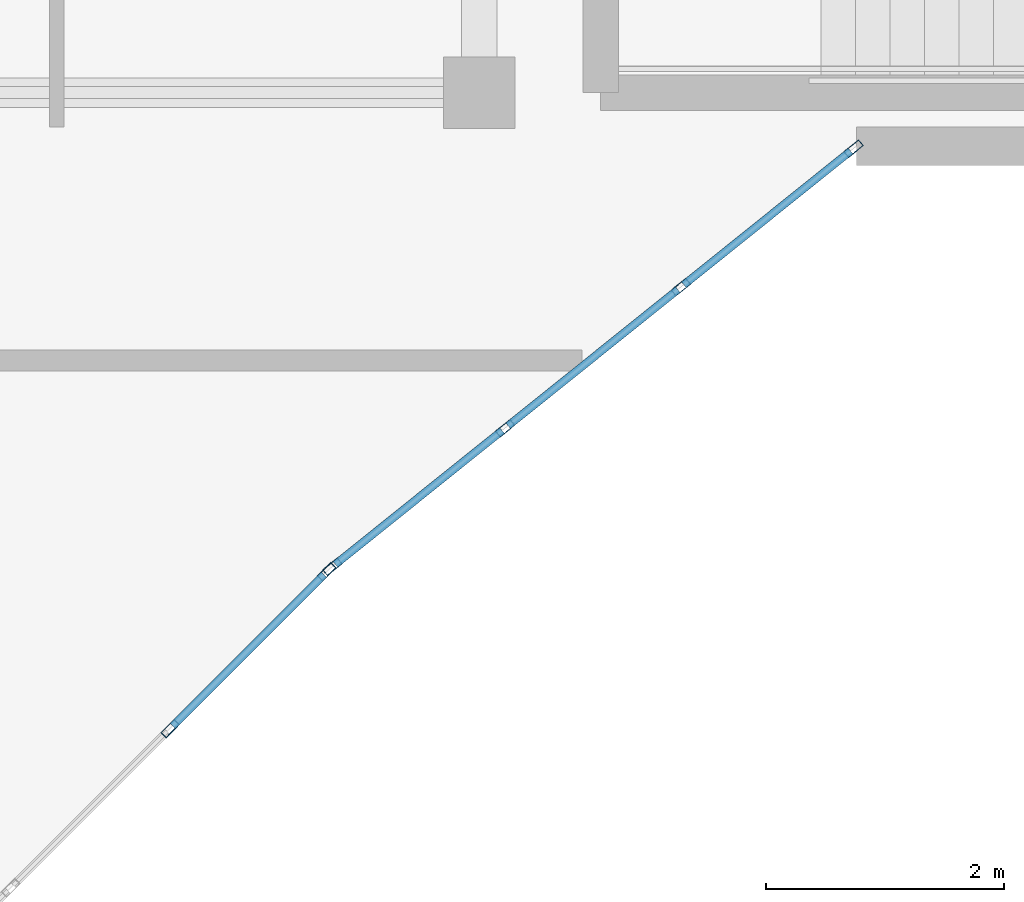
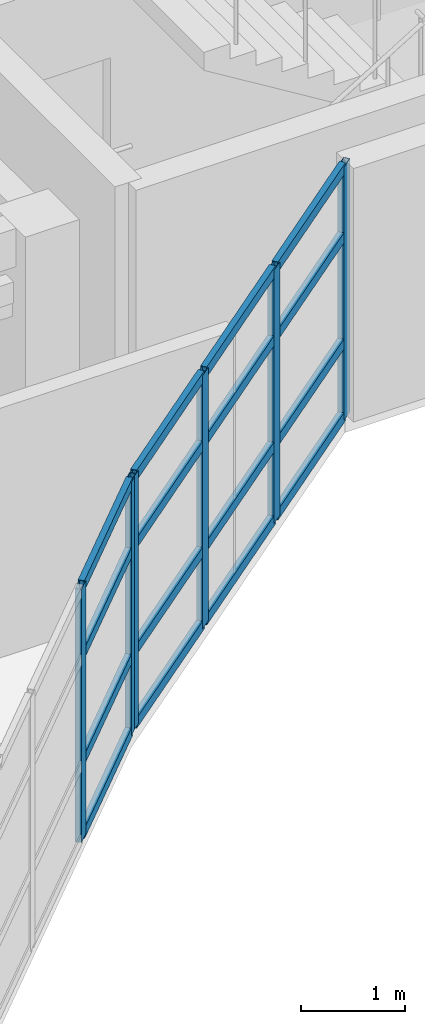
# One storey, part 8 of 71: 22 members, 2 elements without a shape of their own.
"""IFC4 building model written with IfcOpenShell, lengths in metres."""

from ifc_helpers import new_model, si_unit, direction, frame, origin, origin_2d, place, context, subcontext, project, spatial, hollow_rectangle, extrude, material, layer, layer_set, material_profile, profile_set, type_object, element, aggregate, save


model = new_model("IFC4")

# Units and contexts
model_context = context("Model", 3, precision=1e-05, world=origin(), true_north=direction((0.0, 1.0)))
body_context = subcontext(model_context, "Body", "Model", "MODEL_VIEW")
ifc_project = project(units=[si_unit("LENGTHUNIT", "METRE"), si_unit("AREAUNIT", "SQUARE_METRE"), si_unit("VOLUMEUNIT", "CUBIC_METRE"), si_unit("PLANEANGLEUNIT", "RADIAN"), si_unit("MASSUNIT", "GRAM", prefix="KILO")], contexts=[model_context])

# Site, building, storey
site_placement = place(None, origin())
site = spatial("IfcSite", under=ifc_project, at=site_placement, CompositionType="ELEMENT")
building_placement = place(site_placement, origin())
building = spatial("IfcBuilding", under=site, at=building_placement, Name="Keldmere Railside Commons", CompositionType="ELEMENT")
storey_placement = place(building_placement, frame((0.0, 0.0, 20.159912109375)))
storey = spatial("IfcBuildingStorey", under=building, at=storey_placement, Name="L06", CompositionType="ELEMENT", Elevation=20.159912109375)

# Curtain wall, members
ifc_material = material(Name="Thermally Broken Aluminium", Category="aluminium")
ifc_layer_1 = layer(ifc_material, 0.159912109375, Name="Court Chord Wintergarden CW 5400x2850")
ifc_layer_set_1 = layer_set([ifc_layer_1], Name="Thermally Broken Aluminium")
curtain_wall_type_1 = type_object("IfcCurtainWallType", Name="Court Chord Wintergarden CW 5400x2850", PredefinedType="NOTDEFINED", material=ifc_layer_set_1)
curtain_wall_1_placement = place(storey_placement, origin())
curtain_wall_1 = element("IfcCurtainWall", 1, at=curtain_wall_1_placement, inside=storey, type_object=curtain_wall_type_1, Name="CW-13 CW-L06-062", PredefinedType="NOTDEFINED")
ifc_material_profile_1 = material_profile(ifc_material, hollow_rectangle(XDim=0.06494140625, YDim=0.159912109375, WallThickness=0.00390625, at=origin_2d()), Name="ALU-MULL-65x160")
ifc_profile_set_1 = profile_set([ifc_material_profile_1], Name="Thermally Broken Aluminium")
member_type_1 = type_object("IfcMemberType", Name="Unitised Curtain Wall Mullion 65x160", PredefinedType="MULLION", material=ifc_profile_set_1)
member_1_placement = place(storey_placement, frame((71.547119140625, 96.423095703125, 0.0), z_axis=(0.0, 0.0, 1.0), x_axis=(0.707106781187, -0.707106781187, 0.0)))
member_1 = element("IfcMember", 2, at=member_1_placement, type_object=member_type_1, Name="CW-13 mullion 1", PredefinedType="MULLION", context=body_context, shape_type="SweptSolid", body=[
    extrude(hollow_rectangle(XDim=0.06494140625, YDim=0.159912109375, WallThickness=0.00390625, at=origin_2d()), origin(), (0.0, 0.0, 1.0), 2.97998046875),
])
member_2_placement = place(storey_placement, frame((70.2314453125, 95.107421875, 0.0), z_axis=(0.0, 0.0, 1.0), x_axis=(0.707106781187, -0.707106781187, 0.0)))
member_2 = element("IfcMember", 3, at=member_2_placement, type_object=member_type_1, Name="CW-13 mullion 2", PredefinedType="MULLION", context=body_context, shape_type="SweptSolid", body=[
    extrude(hollow_rectangle(XDim=0.06494140625, YDim=0.159912109375, WallThickness=0.00390625, at=origin_2d()), origin(), (0.0, 0.0, 1.0), 2.97998046875),
])

ifc_layer_2 = layer(ifc_material, 0.159912109375, Name="Court Chord Wintergarden CW 4800x2850")
ifc_layer_set_2 = layer_set([ifc_layer_2], Name="Thermally Broken Aluminium")
curtain_wall_type_2 = type_object("IfcCurtainWallType", Name="Court Chord Wintergarden CW 4800x2850", PredefinedType="NOTDEFINED", material=ifc_layer_set_2)
curtain_wall_2_placement = place(storey_placement, origin())
curtain_wall_2 = element("IfcCurtainWall", 4, at=curtain_wall_2_placement, inside=storey, type_object=curtain_wall_type_2, Name="CW-12 CW-L06-063", PredefinedType="NOTDEFINED")
member_3_placement = place(storey_placement, frame((75.974609375, 99.979736328125, 0.0), z_axis=(0.0, 0.0, 1.0), x_axis=(0.625768080915, -0.780009172323, 0.0)))
member_3 = element("IfcMember", 5, at=member_3_placement, type_object=member_type_1, Name="CW-12 mullion 1", PredefinedType="MULLION", context=body_context, shape_type="SweptSolid", body=[
    extrude(hollow_rectangle(XDim=0.06494140625, YDim=0.159912109375, WallThickness=0.00390625, at=origin_2d()), origin(), (0.0, 0.0, 1.0), 2.97998046875),
])
member_4_placement = place(storey_placement, frame((74.5234375, 98.8154296875, 0.0), z_axis=(0.0, 0.0, 1.0), x_axis=(0.625768080915, -0.780009172323, 0.0)))
member_4 = element("IfcMember", 6, at=member_4_placement, type_object=member_type_1, Name="CW-12 mullion 2", PredefinedType="MULLION", context=body_context, shape_type="SweptSolid", body=[
    extrude(hollow_rectangle(XDim=0.06494140625, YDim=0.159912109375, WallThickness=0.00390625, at=origin_2d()), origin(), (0.0, 0.0, 1.0), 2.97998046875),
])
member_5_placement = place(storey_placement, frame((73.046630859375, 97.630615234375, 0.0), z_axis=(0.0, 0.0, 1.0), x_axis=(0.625768080915, -0.780009172323, 0.0)))
member_5 = element("IfcMember", 7, at=member_5_placement, type_object=member_type_1, Name="CW-12 mullion 3", PredefinedType="MULLION", context=body_context, shape_type="SweptSolid", body=[
    extrude(hollow_rectangle(XDim=0.06494140625, YDim=0.159912109375, WallThickness=0.00390625, at=origin_2d()), origin(), (0.0, 0.0, 1.0), 2.97998046875),
])
member_6_placement = place(storey_placement, frame((71.595458984375, 96.46630859375, 0.0), z_axis=(0.0, 0.0, 1.0), x_axis=(0.625768080915, -0.780009172323, 0.0)))
member_6 = element("IfcMember", 8, at=member_6_placement, type_object=member_type_1, Name="CW-12 mullion 4", PredefinedType="MULLION", context=body_context, shape_type="SweptSolid", body=[
    extrude(hollow_rectangle(XDim=0.06494140625, YDim=0.159912109375, WallThickness=0.00390625, at=origin_2d()), origin(), (0.0, 0.0, 1.0), 2.97998046875),
])

# Member
ifc_material_profile_2 = material_profile(ifc_material, hollow_rectangle(XDim=0.06494140625, YDim=0.1201171875, WallThickness=0.00390625, at=origin_2d()), Name="ALU-TRAN-65x120")
ifc_profile_set_2 = profile_set([ifc_material_profile_2], Name="Thermally Broken Aluminium")
member_type_2 = type_object("IfcMemberType", Name="Unitised Curtain Wall Transom 65x120", PredefinedType="USERDEFINED", material=ifc_profile_set_2)
member_7_placement = place(storey_placement, frame((71.52392578125, 96.400146484375, 0.032470703125), z_axis=(-0.707038793419, -0.707174762418, 0.0), x_axis=(0.707174762418, -0.707038793419, 0.0)))
member_7 = element("IfcMember", 9, at=member_7_placement, type_object=member_type_2, Name="CW-13 transom 1.1", ObjectType="TRANSOM", PredefinedType="USERDEFINED", context=body_context, shape_type="SweptSolid", body=[
    extrude(hollow_rectangle(XDim=0.06494140625, YDim=0.1201171875, WallThickness=0.00390625, at=origin_2d()), origin(), (0.0, 0.0, 1.0), 1.795654296875),
])

member_8_placement = place(storey_placement, frame((71.52392578125, 96.400146484375, 0.900146484375), z_axis=(-0.707038793419, -0.707174762418, 0.0), x_axis=(0.707174762418, -0.707038793419, 0.0)))
member_8 = element("IfcMember", 10, at=member_8_placement, type_object=member_type_2, Name="CW-13 transom 1.2", ObjectType="TRANSOM", PredefinedType="USERDEFINED", context=body_context, shape_type="SweptSolid", body=[
    extrude(hollow_rectangle(XDim=0.06494140625, YDim=0.1201171875, WallThickness=0.00390625, at=origin_2d()), origin(), (0.0, 0.0, 1.0), 1.795654296875),
])

member_9_placement = place(storey_placement, frame((71.52392578125, 96.400146484375, 2.150146484375), z_axis=(-0.707038793419, -0.707174762418, 0.0), x_axis=(0.707174762418, -0.707038793419, 0.0)))
member_9 = element("IfcMember", 11, at=member_9_placement, type_object=member_type_2, Name="CW-13 transom 1.3", ObjectType="TRANSOM", PredefinedType="USERDEFINED", context=body_context, shape_type="SweptSolid", body=[
    extrude(hollow_rectangle(XDim=0.06494140625, YDim=0.1201171875, WallThickness=0.00390625, at=origin_2d()), origin(), (0.0, 0.0, 1.0), 1.795654296875),
])

member_10_placement = place(storey_placement, frame((71.52392578125, 96.400146484375, 2.947509765625), z_axis=(-0.707038793419, -0.707174762418, 0.0), x_axis=(0.707174762418, -0.707038793419, 0.0)))
member_10 = element("IfcMember", 12, at=member_10_placement, type_object=member_type_2, Name="CW-13 transom 1.4", ObjectType="TRANSOM", PredefinedType="USERDEFINED", context=body_context, shape_type="SweptSolid", body=[
    extrude(hollow_rectangle(XDim=0.06494140625, YDim=0.1201171875, WallThickness=0.00390625, at=origin_2d()), origin(), (0.0, 0.0, 1.0), 1.795654296875),
])

aggregate(curtain_wall_1, [member_1, member_2, member_7, member_8, member_9, member_10])

member_11_placement = place(storey_placement, frame((75.94921875, 99.959228515625, 0.032470703125), z_axis=(-0.780045694992, -0.625722553313, 0.0), x_axis=(0.625722553313, -0.780045694992, 0.0)))
member_11 = element("IfcMember", 13, at=member_11_placement, type_object=member_type_2, Name="CW-12 transom 1.1", ObjectType="TRANSOM", PredefinedType="USERDEFINED", context=body_context, shape_type="SweptSolid", body=[
    extrude(hollow_rectangle(XDim=0.06494140625, YDim=0.1201171875, WallThickness=0.00390625, at=origin_2d()), origin(), (0.0, 0.0, 1.0), 1.795654296875),
])

member_12_placement = place(storey_placement, frame((75.94921875, 99.959228515625, 0.900146484375), z_axis=(-0.780045694992, -0.625722553313, 0.0), x_axis=(0.625722553313, -0.780045694992, 0.0)))
member_12 = element("IfcMember", 14, at=member_12_placement, type_object=member_type_2, Name="CW-12 transom 1.2", ObjectType="TRANSOM", PredefinedType="USERDEFINED", context=body_context, shape_type="SweptSolid", body=[
    extrude(hollow_rectangle(XDim=0.06494140625, YDim=0.1201171875, WallThickness=0.00390625, at=origin_2d()), origin(), (0.0, 0.0, 1.0), 1.795654296875),
])

member_13_placement = place(storey_placement, frame((75.94921875, 99.959228515625, 2.150146484375), z_axis=(-0.780045694992, -0.625722553313, 0.0), x_axis=(0.625722553313, -0.780045694992, 0.0)))
member_13 = element("IfcMember", 15, at=member_13_placement, type_object=member_type_2, Name="CW-12 transom 1.3", ObjectType="TRANSOM", PredefinedType="USERDEFINED", context=body_context, shape_type="SweptSolid", body=[
    extrude(hollow_rectangle(XDim=0.06494140625, YDim=0.1201171875, WallThickness=0.00390625, at=origin_2d()), origin(), (0.0, 0.0, 1.0), 1.795654296875),
])

member_14_placement = place(storey_placement, frame((75.94921875, 99.959228515625, 2.947509765625), z_axis=(-0.780045694992, -0.625722553313, 0.0), x_axis=(0.625722553313, -0.780045694992, 0.0)))
member_14 = element("IfcMember", 16, at=member_14_placement, type_object=member_type_2, Name="CW-12 transom 1.4", ObjectType="TRANSOM", PredefinedType="USERDEFINED", context=body_context, shape_type="SweptSolid", body=[
    extrude(hollow_rectangle(XDim=0.06494140625, YDim=0.1201171875, WallThickness=0.00390625, at=origin_2d()), origin(), (0.0, 0.0, 1.0), 1.795654296875),
])

member_15_placement = place(storey_placement, frame((74.498046875, 98.794921875, 0.032470703125), z_axis=(-0.78007338409, -0.625688033635, 0.0), x_axis=(0.625688033635, -0.78007338409, 0.0)))
member_15 = element("IfcMember", 17, at=member_15_placement, type_object=member_type_2, Name="CW-12 transom 2.1", ObjectType="TRANSOM", PredefinedType="USERDEFINED", context=body_context, shape_type="SweptSolid", body=[
    extrude(hollow_rectangle(XDim=0.06494140625, YDim=0.1201171875, WallThickness=0.00390625, at=origin_2d()), origin(), (0.0, 0.0, 1.0), 1.828125),
])

member_16_placement = place(storey_placement, frame((74.498046875, 98.794921875, 0.900146484375), z_axis=(-0.78007338409, -0.625688033635, 0.0), x_axis=(0.625688033635, -0.78007338409, 0.0)))
member_16 = element("IfcMember", 18, at=member_16_placement, type_object=member_type_2, Name="CW-12 transom 2.2", ObjectType="TRANSOM", PredefinedType="USERDEFINED", context=body_context, shape_type="SweptSolid", body=[
    extrude(hollow_rectangle(XDim=0.06494140625, YDim=0.1201171875, WallThickness=0.00390625, at=origin_2d()), origin(), (0.0, 0.0, 1.0), 1.828125),
])

member_17_placement = place(storey_placement, frame((74.498046875, 98.794921875, 2.150146484375), z_axis=(-0.78007338409, -0.625688033635, 0.0), x_axis=(0.625688033635, -0.78007338409, 0.0)))
member_17 = element("IfcMember", 19, at=member_17_placement, type_object=member_type_2, Name="CW-12 transom 2.3", ObjectType="TRANSOM", PredefinedType="USERDEFINED", context=body_context, shape_type="SweptSolid", body=[
    extrude(hollow_rectangle(XDim=0.06494140625, YDim=0.1201171875, WallThickness=0.00390625, at=origin_2d()), origin(), (0.0, 0.0, 1.0), 1.828125),
])

member_18_placement = place(storey_placement, frame((74.498046875, 98.794921875, 2.947509765625), z_axis=(-0.78007338409, -0.625688033635, 0.0), x_axis=(0.625688033635, -0.78007338409, 0.0)))
member_18 = element("IfcMember", 20, at=member_18_placement, type_object=member_type_2, Name="CW-12 transom 2.4", ObjectType="TRANSOM", PredefinedType="USERDEFINED", context=body_context, shape_type="SweptSolid", body=[
    extrude(hollow_rectangle(XDim=0.06494140625, YDim=0.1201171875, WallThickness=0.00390625, at=origin_2d()), origin(), (0.0, 0.0, 1.0), 1.828125),
])

member_19_placement = place(storey_placement, frame((73.021240234375, 97.6103515625, 0.032470703125), z_axis=(-0.779979331565, -0.625805275091, 0.0), x_axis=(0.625805275091, -0.779979331565, 0.0)))
member_19 = element("IfcMember", 21, at=member_19_placement, type_object=member_type_2, Name="CW-12 transom 3.1", ObjectType="TRANSOM", PredefinedType="USERDEFINED", context=body_context, shape_type="SweptSolid", body=[
    extrude(hollow_rectangle(XDim=0.06494140625, YDim=0.1201171875, WallThickness=0.00390625, at=origin_2d()), origin(), (0.0, 0.0, 1.0), 1.795654296875),
])

member_20_placement = place(storey_placement, frame((73.021240234375, 97.6103515625, 0.900146484375), z_axis=(-0.779979331565, -0.625805275091, 0.0), x_axis=(0.625805275091, -0.779979331565, 0.0)))
member_20 = element("IfcMember", 22, at=member_20_placement, type_object=member_type_2, Name="CW-12 transom 3.2", ObjectType="TRANSOM", PredefinedType="USERDEFINED", context=body_context, shape_type="SweptSolid", body=[
    extrude(hollow_rectangle(XDim=0.06494140625, YDim=0.1201171875, WallThickness=0.00390625, at=origin_2d()), origin(), (0.0, 0.0, 1.0), 1.795654296875),
])

member_21_placement = place(storey_placement, frame((73.021240234375, 97.6103515625, 2.150146484375), z_axis=(-0.779979331565, -0.625805275091, 0.0), x_axis=(0.625805275091, -0.779979331565, 0.0)))
member_21 = element("IfcMember", 23, at=member_21_placement, type_object=member_type_2, Name="CW-12 transom 3.3", ObjectType="TRANSOM", PredefinedType="USERDEFINED", context=body_context, shape_type="SweptSolid", body=[
    extrude(hollow_rectangle(XDim=0.06494140625, YDim=0.1201171875, WallThickness=0.00390625, at=origin_2d()), origin(), (0.0, 0.0, 1.0), 1.795654296875),
])

member_22_placement = place(storey_placement, frame((73.021240234375, 97.6103515625, 2.947509765625), z_axis=(-0.779979331565, -0.625805275091, 0.0), x_axis=(0.625805275091, -0.779979331565, 0.0)))
member_22 = element("IfcMember", 24, at=member_22_placement, type_object=member_type_2, Name="CW-12 transom 3.4", ObjectType="TRANSOM", PredefinedType="USERDEFINED", context=body_context, shape_type="SweptSolid", body=[
    extrude(hollow_rectangle(XDim=0.06494140625, YDim=0.1201171875, WallThickness=0.00390625, at=origin_2d()), origin(), (0.0, 0.0, 1.0), 1.795654296875),
])

aggregate(curtain_wall_2, [member_3, member_4, member_5, member_6, member_11, member_12, member_13, member_14, member_15, member_16, member_17, member_18, member_19, member_20, member_21, member_22])

save(model, "model.ifc")
